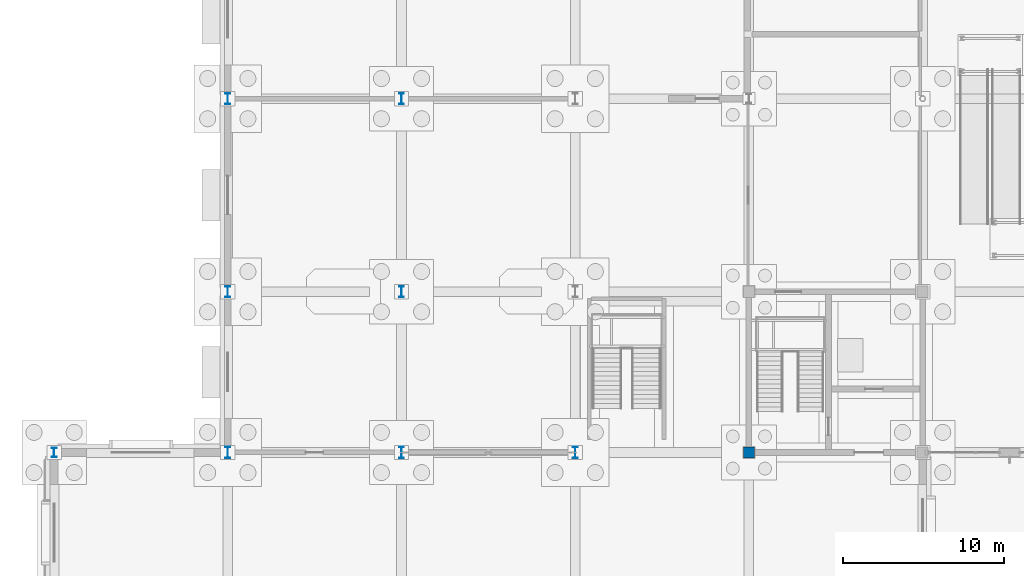
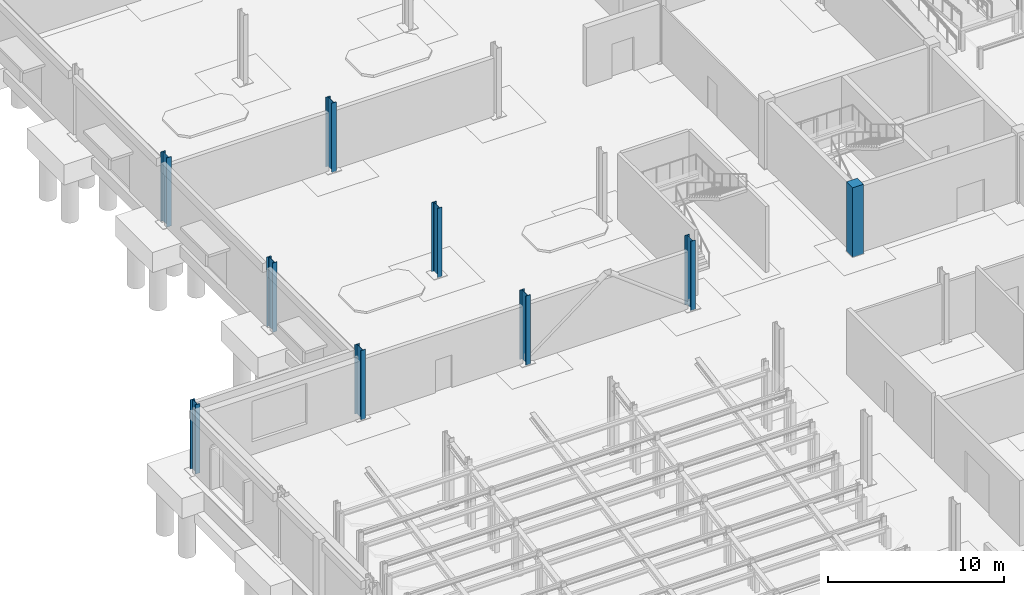
# One storey, part 10 of 73: 9 columns.
"""IFC4 building model written with IfcOpenShell, lengths in metres."""

from ifc_helpers import new_model, si_unit, direction, frame, origin, origin_2d, place, context, subcontext, project, spatial, rectangle, i_section, extrude, material, material_profile, profile_set, type_object, element, save


model = new_model("IFC4")

# Units and contexts
model_context = context("Model", 3, precision=1e-05, world=origin(), true_north=direction((0.0, 1.0)))
body_context = subcontext(model_context, "Body", "Model", "MODEL_VIEW")
ifc_project = project(units=[si_unit("LENGTHUNIT", "METRE"), si_unit("AREAUNIT", "SQUARE_METRE"), si_unit("VOLUMEUNIT", "CUBIC_METRE"), si_unit("PLANEANGLEUNIT", "RADIAN"), si_unit("MASSUNIT", "GRAM", prefix="KILO")], contexts=[model_context])

# Site, building, storey
site_placement = place(None, origin())
site = spatial("IfcSite", under=ifc_project, at=site_placement, CompositionType="ELEMENT")
building_placement = place(site_placement, origin())
building = spatial("IfcBuilding", under=site, at=building_placement, Name="Tasgan Crest Museum", CompositionType="ELEMENT")
storey_placement = place(building_placement, origin())
storey = spatial("IfcBuildingStorey", under=building, at=storey_placement, Name="L00", CompositionType="ELEMENT", Elevation=0.0)

# Columns
ifc_material_1 = material(Name="Steel S355K2", Category="steel")
ifc_material_profile_1 = material_profile(ifc_material_1, i_section(OverallWidth=0.300048828125, OverallDepth=0.60009765625, WebThickness=0.015380859375, FlangeThickness=0.030029296875, FilletRadius=0.027099609375, at=origin_2d()), Name="HEB 600")
ifc_profile_set_1 = profile_set([ifc_material_profile_1], Name="Steel S355K2")
column_type_1 = type_object("IfcColumnType", Name="COL-HEB600", PredefinedType="COLUMN", material=ifc_profile_set_1)
column_1_placement = place(storey_placement, frame((0.0, 40.0, 0.0), z_axis=(0.0, 0.0, 1.0), x_axis=(1.0, 0.0, 0.0)))
element("IfcColumn", 1, at=column_1_placement, inside=storey, type_object=column_type_1, Name="Column 1/E L00", PredefinedType="COLUMN", context=body_context, shape_type="SweptSolid", body=[
    extrude(i_section(OverallWidth=0.300048828125, OverallDepth=0.60009765625, WebThickness=0.015380859375, FlangeThickness=0.030029296875, FilletRadius=0.027099609375, at=origin_2d()), origin(), (0.0, 0.0, 1.0), 4.800048828125),
])
ifc_material_2 = material(Name="Steel S355K2", Category="steel")
ifc_material_profile_2 = material_profile(ifc_material_2, i_section(OverallWidth=0.300048828125, OverallDepth=0.699951171875, WebThickness=0.01708984375, FlangeThickness=0.031982421875, FilletRadius=0.027099609375, at=origin_2d()), Name="HEB 700")
ifc_profile_set_2 = profile_set([ifc_material_profile_2], Name="Steel S355K2")
column_type_2 = type_object("IfcColumnType", Name="COL-HEB700", PredefinedType="COLUMN", material=ifc_profile_set_2)
for number, where, z_axis, x_axis, name in (
    (2, (10.800048828125, 40.0, 0.0), (0.0, 0.0, 1.0), (1.0, 0.0, 0.0), "Column 2/E L00"),
    (3, (10.800048828125, 50.0, 0.0), (0.0, 0.0, 1.0), (1.0, 0.0, 0.0), "Column 2/F L00"),
    (4, (10.800048828125, 62.0, 0.0), (0.0, 0.0, 1.0), (1.0, 0.0, 0.0), "Column 2/G L00"),
    (5, (21.60009765625, 40.0, 0.0), (0.0, 0.0, 1.0), (1.0, 0.0, 0.0), "Column 3/E L00"),
    (6, (21.60009765625, 50.0, 0.0), (0.0, 0.0, 1.0), (1.0, 0.0, 0.0), "Column 3/F L00"),
    (7, (21.60009765625, 62.0, 0.0), (0.0, 0.0, 1.0), (1.0, 0.0, 0.0), "Column 3/G L00"),
    (8, (32.39990234375, 40.0, 0.0), (0.0, 0.0, 1.0), (1.0, 0.0, 0.0), "Column 4/E L00"),
):
    element("IfcColumn", number, at=place(storey_placement, frame(where, z_axis=z_axis, x_axis=x_axis)), inside=storey, type_object=column_type_2, Name=name, PredefinedType="COLUMN", context=body_context, shape_type="SweptSolid", body=[
        extrude(i_section(OverallWidth=0.300048828125, OverallDepth=0.699951171875, WebThickness=0.01708984375, FlangeThickness=0.031982421875, FilletRadius=0.027099609375, at=origin_2d()), origin(), (0.0, 0.0, 1.0), 4.800048828125),
    ])
ifc_material_3 = material(Name="Concrete C40/50", Category="concrete")
ifc_material_profile_3 = material_profile(ifc_material_3, rectangle(XDim=0.699951171875, YDim=0.699951171875, at=origin_2d()), Name="RC 700x700")
ifc_profile_set_3 = profile_set([ifc_material_profile_3], Name="Concrete C40/50")
column_type_3 = type_object("IfcColumnType", Name="COL-RC700", PredefinedType="COLUMN", material=ifc_profile_set_3)
column_2_placement = place(storey_placement, frame((43.199951171875, 40.0, 0.0), z_axis=(0.0, 0.0, 1.0), x_axis=(1.0, 0.0, 0.0)))
element("IfcColumn", 9, at=column_2_placement, inside=storey, type_object=column_type_3, Name="Column 5/E L00", PredefinedType="COLUMN", context=body_context, shape_type="SweptSolid", body=[
    extrude(rectangle(XDim=0.699951171875, YDim=0.699951171875, at=origin_2d()), origin(), (0.0, 0.0, 1.0), 4.800048828125),
])

save(model, "model.ifc")
